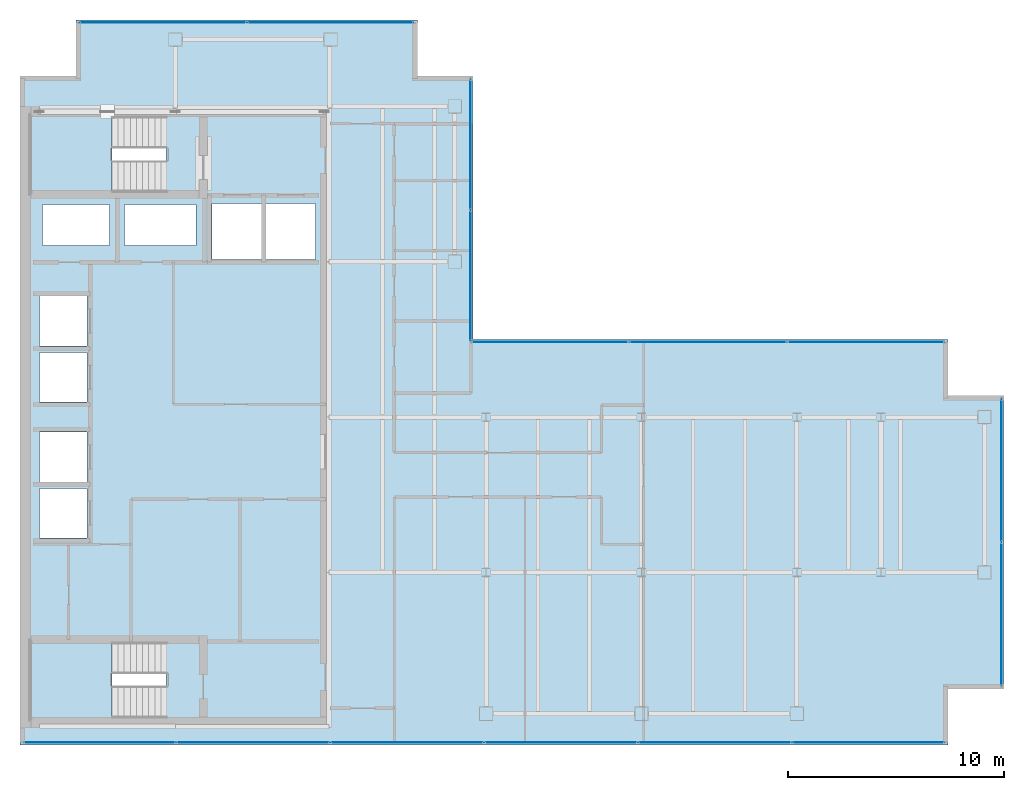
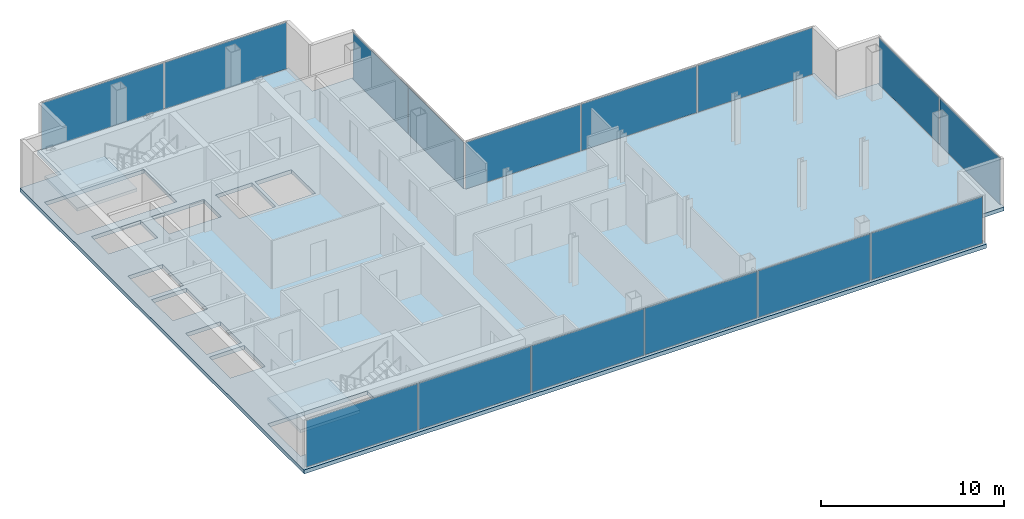
# One storey, part 19 of 23: 15 plates, 3 slabs, 10 openings, 7 elements without a shape of their own.
"""IFC4 building model written with IfcOpenShell, lengths in metres."""

from ifc_helpers import new_model, si_unit, direction, frame, origin, origin_2d, place, context, subcontext, project, spatial, polyline, rectangle, outline, extrude, material, layer, layer_set, type_object, element, aggregate, save


model = new_model("IFC4")

# Units and contexts
model_context = context("Model", 3, precision=1e-05, world=origin(), true_north=direction((0.0, 1.0)))
body_context = subcontext(model_context, "Body", "Model", "MODEL_VIEW")
ifc_project = project(units=[si_unit("LENGTHUNIT", "METRE"), si_unit("AREAUNIT", "SQUARE_METRE"), si_unit("VOLUMEUNIT", "CUBIC_METRE"), si_unit("PLANEANGLEUNIT", "RADIAN"), si_unit("MASSUNIT", "GRAM", prefix="KILO")], contexts=[model_context])

# Site, building, storey
site_placement = place(None, origin())
site = spatial("IfcSite", under=ifc_project, at=site_placement, CompositionType="ELEMENT")
building_placement = place(site_placement, origin())
building = spatial("IfcBuilding", under=site, at=building_placement, Name="Cobrela Telecom Tower", CompositionType="ELEMENT")
storey_placement = place(building_placement, frame((0.0, 0.0, 265.64990234375)))
storey = spatial("IfcBuildingStorey", under=building, at=storey_placement, Name="L69", CompositionType="ELEMENT", Elevation=265.64990234375)

# Curtain wall, plates
ifc_material_1 = material(Name="Anodized Bronze Aluminium 6063-T6", Category="aluminium")
curtain_wall_type = type_object("IfcCurtainWallType", Name="CW-SYS-OFF-HI", PredefinedType="USERDEFINED", material=ifc_material_1)
curtain_wall_1_placement = place(storey_placement, origin())
curtain_wall_1 = element("IfcCurtainWall", 1, at=curtain_wall_1_placement, inside=storey, type_object=curtain_wall_type, Name="L69 Unitised Bronze Curtain Wall 05", ObjectType="UNITISED CURTAIN WALL", PredefinedType="USERDEFINED")
ifc_material_2 = material(Name="Solar-Control Bronze Low-E Glass", Category="glass")
ifc_layer_1 = layer(ifc_material_2, 0.030029296875)
ifc_layer_set_1 = layer_set([ifc_layer_1], Name="Solar-Control Bronze Low-E Glass")
plate_type = type_object("IfcPlateType", Name="CW-SYS-OFF-HI-PNL", PredefinedType="CURTAIN_PANEL", material=ifc_layer_set_1)
plate_1_placement = place(storey_placement, frame((6.62255859375, 39.8798828125, 0.06494140625), z_axis=(0.0, 0.0, 1.0), x_axis=(1.0, 0.0, 0.0)))
plate_1 = element("IfcPlate", 2, at=plate_1_placement, type_object=plate_type, Name="CW-OFF-HI panel 1.1", PredefinedType="CURTAIN_PANEL", context=body_context, shape_type="SweptSolid", body=[
    extrude(rectangle(XDim=7.68505859375, YDim=0.030029296875, at=origin_2d()), origin(), (0.0, 0.0, 1.0), 3.110107421875),
])
plate_2_placement = place(storey_placement, frame((14.37744140625, 39.8798828125, 0.06494140625), z_axis=(0.0, 0.0, 1.0), x_axis=(1.0, 0.0, 0.0)))
plate_2 = element("IfcPlate", 3, at=plate_2_placement, type_object=plate_type, Name="CW-OFF-HI panel 2.1", PredefinedType="CURTAIN_PANEL", context=body_context, shape_type="SweptSolid", body=[
    extrude(rectangle(XDim=7.68505859375, YDim=0.030029296875, at=origin_2d()), origin(), (0.0, 0.0, 1.0), 3.110107421875),
])
aggregate(curtain_wall_1, [plate_1, plate_2])

curtain_wall_2_placement = place(storey_placement, origin())
curtain_wall_2 = element("IfcCurtainWall", 4, at=curtain_wall_2_placement, inside=storey, type_object=curtain_wall_type, Name="L69 Unitised Bronze Curtain Wall 08", ObjectType="UNITISED CURTAIN WALL", PredefinedType="USERDEFINED")
plate_3_placement = place(storey_placement, frame((20.8798828125, 34.219970703125, 0.06494140625), z_axis=(0.0, 0.0, 1.0), x_axis=(0.0, -1.0, 0.0)))
plate_3 = element("IfcPlate", 5, at=plate_3_placement, type_object=plate_type, Name="CW-OFF-HI panel 1.1", PredefinedType="CURTAIN_PANEL", context=body_context, shape_type="SweptSolid", body=[
    extrude(rectangle(XDim=6.0, YDim=0.030029296875, at=origin_2d()), origin(), (0.0, 0.0, 1.0), 3.110107421875),
])
plate_4_placement = place(storey_placement, frame((20.8798828125, 28.14990234375, 0.06494140625), z_axis=(0.0, 0.0, 1.0), x_axis=(0.0, -1.0, 0.0)))
plate_4 = element("IfcPlate", 6, at=plate_4_placement, type_object=plate_type, Name="CW-OFF-HI panel 2.1", PredefinedType="CURTAIN_PANEL", context=body_context, shape_type="SweptSolid", body=[
    extrude(rectangle(XDim=6.0, YDim=0.030029296875, at=origin_2d()), origin(), (0.0, 0.0, 1.0), 3.110107421875),
])
aggregate(curtain_wall_2, [plate_3, plate_4])

curtain_wall_3_placement = place(storey_placement, origin())
curtain_wall_3 = element("IfcCurtainWall", 7, at=curtain_wall_3_placement, inside=storey, type_object=curtain_wall_type, Name="L69 Unitised Bronze Curtain Wall 09", ObjectType="UNITISED CURTAIN WALL", PredefinedType="USERDEFINED")
plate_5_placement = place(storey_placement, frame((24.56591796875, 25.080078125, 0.06494140625), z_axis=(0.0, 0.0, 1.0), x_axis=(1.0, 0.0, 0.0)))
plate_5 = element("IfcPlate", 8, at=plate_5_placement, type_object=plate_type, Name="CW-OFF-HI panel 1.1", PredefinedType="CURTAIN_PANEL", context=body_context, shape_type="SweptSolid", body=[
    extrude(rectangle(XDim=7.231689453125, YDim=0.030029296875, at=origin_2d()), origin(), (0.0, 0.0, 1.0), 3.110107421875),
])
plate_6_placement = place(storey_placement, frame((31.885009765625, 25.080078125, 0.06494140625), z_axis=(0.0, 0.0, 1.0), x_axis=(1.0, 0.0, 0.0)))
plate_6 = element("IfcPlate", 9, at=plate_6_placement, type_object=plate_type, Name="CW-OFF-HI panel 2.1", PredefinedType="CURTAIN_PANEL", context=body_context, shape_type="SweptSolid", body=[
    extrude(rectangle(XDim=7.2666015625, YDim=0.030029296875, at=origin_2d()), origin(), (0.0, 0.0, 1.0), 3.110107421875),
])
plate_7_placement = place(storey_placement, frame((39.2041015625, 25.080078125, 0.06494140625), z_axis=(0.0, 0.0, 1.0), x_axis=(1.0, 0.0, 0.0)))
plate_7 = element("IfcPlate", 10, at=plate_7_placement, type_object=plate_type, Name="CW-OFF-HI panel 3.1", PredefinedType="CURTAIN_PANEL", context=body_context, shape_type="SweptSolid", body=[
    extrude(rectangle(XDim=7.231689453125, YDim=0.030029296875, at=origin_2d()), origin(), (0.0, 0.0, 1.0), 3.110107421875),
])
aggregate(curtain_wall_3, [plate_5, plate_6, plate_7])

curtain_wall_4_placement = place(storey_placement, origin())
curtain_wall_4 = element("IfcCurtainWall", 11, at=curtain_wall_4_placement, inside=storey, type_object=curtain_wall_type, Name="L69 Unitised Bronze Curtain Wall 12", ObjectType="UNITISED CURTAIN WALL", PredefinedType="USERDEFINED")
plate_8_placement = place(storey_placement, frame((45.47998046875, 19.12744140625, 0.06494140625), z_axis=(0.0, 0.0, 1.0), x_axis=(0.0, -1.0, 0.0)))
plate_8 = element("IfcPlate", 12, at=plate_8_placement, type_object=plate_type, Name="CW-OFF-HI panel 1.1", PredefinedType="CURTAIN_PANEL", context=body_context, shape_type="SweptSolid", body=[
    extrude(rectangle(XDim=6.5849609375, YDim=0.030029296875, at=origin_2d()), origin(), (0.0, 0.0, 1.0), 3.110107421875),
])
plate_9_placement = place(storey_placement, frame((45.47998046875, 12.472412109375, 0.06494140625), z_axis=(0.0, 0.0, 1.0), x_axis=(0.0, -1.0, 0.0)))
plate_9 = element("IfcPlate", 13, at=plate_9_placement, type_object=plate_type, Name="CW-OFF-HI panel 2.1", PredefinedType="CURTAIN_PANEL", context=body_context, shape_type="SweptSolid", body=[
    extrude(rectangle(XDim=6.5849609375, YDim=0.030029296875, at=origin_2d()), origin(), (0.0, 0.0, 1.0), 3.110107421875),
])
aggregate(curtain_wall_4, [plate_8, plate_9])

curtain_wall_5_placement = place(storey_placement, origin())
curtain_wall_5 = element("IfcCurtainWall", 14, at=curtain_wall_5_placement, inside=storey, type_object=curtain_wall_type, Name="L69 Unitised Bronze Curtain Wall 15", ObjectType="UNITISED CURTAIN WALL", PredefinedType="USERDEFINED")
plate_10_placement = place(storey_placement, frame((39.308349609375, 6.52001953125, 0.06494140625), z_axis=(0.0, 0.0, 1.0), x_axis=(-1.0, 0.0, 0.0)))
plate_10 = element("IfcPlate", 15, at=plate_10_placement, type_object=plate_type, Name="CW-OFF-HI panel 1.1", PredefinedType="CURTAIN_PANEL", context=body_context, shape_type="SweptSolid", body=[
    extrude(rectangle(XDim=7.0234375, YDim=0.030029296875, at=origin_2d()), origin(), (0.0, 0.0, 1.0), 3.110107421875),
])
plate_11_placement = place(storey_placement, frame((32.197509765625, 6.52001953125, 0.06494140625), z_axis=(0.0, 0.0, 1.0), x_axis=(-1.0, 0.0, 0.0)))
plate_11 = element("IfcPlate", 16, at=plate_11_placement, type_object=plate_type, Name="CW-OFF-HI panel 2.1", PredefinedType="CURTAIN_PANEL", context=body_context, shape_type="SweptSolid", body=[
    extrude(rectangle(XDim=7.058349609375, YDim=0.030029296875, at=origin_2d()), origin(), (0.0, 0.0, 1.0), 3.110107421875),
])
plate_12_placement = place(storey_placement, frame((25.069091796875, 6.52001953125, 0.06494140625), z_axis=(0.0, 0.0, 1.0), x_axis=(-1.0, 0.0, 0.0)))
plate_12 = element("IfcPlate", 17, at=plate_12_placement, type_object=plate_type, Name="CW-OFF-HI panel 3.1", PredefinedType="CURTAIN_PANEL", context=body_context, shape_type="SweptSolid", body=[
    extrude(rectangle(XDim=7.058349609375, YDim=0.030029296875, at=origin_2d()), origin(), (0.0, 0.0, 1.0), 3.110107421875),
])
plate_13_placement = place(storey_placement, frame((17.94091796875, 6.52001953125, 0.06494140625), z_axis=(0.0, 0.0, 1.0), x_axis=(-1.0, 0.0, 0.0)))
plate_13 = element("IfcPlate", 18, at=plate_13_placement, type_object=plate_type, Name="CW-OFF-HI panel 4.1", PredefinedType="CURTAIN_PANEL", context=body_context, shape_type="SweptSolid", body=[
    extrude(rectangle(XDim=7.058349609375, YDim=0.030029296875, at=origin_2d()), origin(), (0.0, 0.0, 1.0), 3.110107421875),
])
plate_14_placement = place(storey_placement, frame((10.8125, 6.52001953125, 0.06494140625), z_axis=(0.0, 0.0, 1.0), x_axis=(-1.0, 0.0, 0.0)))
plate_14 = element("IfcPlate", 19, at=plate_14_placement, type_object=plate_type, Name="CW-OFF-HI panel 5.1", PredefinedType="CURTAIN_PANEL", context=body_context, shape_type="SweptSolid", body=[
    extrude(rectangle(XDim=7.058349609375, YDim=0.030029296875, at=origin_2d()), origin(), (0.0, 0.0, 1.0), 3.110107421875),
])
plate_15_placement = place(storey_placement, frame((3.70166015625, 6.52001953125, 0.06494140625), z_axis=(0.0, 0.0, 1.0), x_axis=(-1.0, 0.0, 0.0)))
plate_15 = element("IfcPlate", 20, at=plate_15_placement, type_object=plate_type, Name="CW-OFF-HI panel 6.1", PredefinedType="CURTAIN_PANEL", context=body_context, shape_type="SweptSolid", body=[
    extrude(rectangle(XDim=7.0234375, YDim=0.030029296875, at=origin_2d()), origin(), (0.0, 0.0, 1.0), 3.110107421875),
])
aggregate(curtain_wall_5, [plate_10, plate_11, plate_12, plate_13, plate_14, plate_15])

# Slab, openings
ifc_material_3 = material(Name="Concrete C40/50", Category="concrete")
ifc_layer_2 = layer(ifc_material_3, 0.260009765625)
ifc_layer_set_2 = layer_set([ifc_layer_2], Name="Concrete C40/50")
slab_type_1 = type_object("IfcSlabType", Name="SLAB-FLR-260", PredefinedType="FLOOR", material=ifc_layer_set_2)
slab_1_placement = place(storey_placement, frame((0.0, 0.0, -0.260009765625)))
slab_1 = element("IfcSlab", 21, at=slab_1_placement, inside=storey, type_object=slab_type_1, Name="L69 Structural Floor Slab", PredefinedType="FLOOR", context=body_context, shape_type="SweptSolid", body=[
    extrude(outline(polyline([(0.0, 6.39990234375), (43.010009765625, 6.39990234375), (43.010009765625, 8.989990234375), (45.60009765625, 8.989990234375), (45.60009765625, 22.610107421875), (43.010009765625, 22.610107421875), (43.010009765625, 25.199951171875), (21.0, 25.199951171875), (21.0, 37.409912109375), (18.409912109375, 37.409912109375), (18.409912109375, 40.0), (2.590087890625, 40.0), (2.590087890625, 37.409912109375), (0.0, 37.409912109375), (0.0, 6.39990234375)])), origin(), (0.0, 0.0, 1.0), 0.260009765625),
])
opening_1_placement = place(slab_1_placement, frame((0.0, 0.0, -0.02001953125)))
element("IfcOpeningElement", 22, at=opening_1_placement, cuts=slab_1, Name="Slab Shaft Opening SLAB-L69-MAIN.1", PredefinedType="OPENING", context=body_context, shape_type="SweptSolid", body=[
    extrude(outline(polyline([(8.89990234375, 28.89990234375), (11.199951171875, 28.89990234375), (11.199951171875, 31.5), (8.89990234375, 31.5), (8.89990234375, 28.89990234375)])), origin(), (0.0, 0.0, 1.0), 0.300048828125),
])
opening_2_placement = place(slab_1_placement, frame((0.0, 0.0, -0.02001953125)))
element("IfcOpeningElement", 23, at=opening_2_placement, cuts=slab_1, Name="Slab Shaft Opening SLAB-L69-MAIN.2", PredefinedType="OPENING", context=body_context, shape_type="SweptSolid", body=[
    extrude(outline(polyline([(11.39990234375, 28.89990234375), (13.699951171875, 28.89990234375), (13.699951171875, 31.5), (11.39990234375, 31.5), (11.39990234375, 28.89990234375)])), origin(), (0.0, 0.0, 1.0), 0.300048828125),
])
opening_3_placement = place(slab_1_placement, frame((0.0, 0.0, -0.02001953125)))
element("IfcOpeningElement", 24, at=opening_3_placement, cuts=slab_1, Name="Slab Shaft Opening SLAB-L69-MAIN.3", PredefinedType="OPENING", context=body_context, shape_type="SweptSolid", body=[
    extrude(outline(polyline([(0.89990234375, 16.0), (3.10009765625, 16.0), (3.10009765625, 18.300048828125), (0.89990234375, 18.300048828125), (0.89990234375, 16.0)])), origin(), (0.0, 0.0, 1.0), 0.300048828125),
])
opening_4_placement = place(slab_1_placement, frame((0.0, 0.0, -0.02001953125)))
element("IfcOpeningElement", 25, at=opening_4_placement, cuts=slab_1, Name="Slab Shaft Opening SLAB-L69-MAIN.4", PredefinedType="OPENING", context=body_context, shape_type="SweptSolid", body=[
    extrude(outline(polyline([(0.89990234375, 18.60009765625), (3.10009765625, 18.60009765625), (3.10009765625, 20.89990234375), (0.89990234375, 20.89990234375), (0.89990234375, 18.60009765625)])), origin(), (0.0, 0.0, 1.0), 0.300048828125),
])
opening_5_placement = place(slab_1_placement, frame((0.0, 0.0, -0.02001953125)))
element("IfcOpeningElement", 26, at=opening_5_placement, cuts=slab_1, Name="Slab Shaft Opening SLAB-L69-MAIN.5", PredefinedType="OPENING", context=body_context, shape_type="SweptSolid", body=[
    extrude(outline(polyline([(0.89990234375, 22.300048828125), (3.10009765625, 22.300048828125), (3.10009765625, 24.60009765625), (0.89990234375, 24.60009765625), (0.89990234375, 22.300048828125)])), origin(), (0.0, 0.0, 1.0), 0.300048828125),
])
opening_6_placement = place(slab_1_placement, frame((0.0, 0.0, -0.02001953125)))
element("IfcOpeningElement", 27, at=opening_6_placement, cuts=slab_1, Name="Slab Shaft Opening SLAB-L69-MAIN.6", PredefinedType="OPENING", context=body_context, shape_type="SweptSolid", body=[
    extrude(outline(polyline([(0.89990234375, 24.89990234375), (3.10009765625, 24.89990234375), (3.10009765625, 27.199951171875), (0.89990234375, 27.199951171875), (0.89990234375, 24.89990234375)])), origin(), (0.0, 0.0, 1.0), 0.300048828125),
])
opening_7_placement = place(slab_1_placement, frame((0.0, 0.0, -0.02001953125)))
element("IfcOpeningElement", 28, at=opening_7_placement, cuts=slab_1, Name="Slab Shaft Opening SLAB-L69-MAIN.7", PredefinedType="OPENING", context=body_context, shape_type="SweptSolid", body=[
    extrude(outline(polyline([(1.050048828125, 29.550048828125), (4.14990234375, 29.550048828125), (4.14990234375, 31.449951171875), (1.050048828125, 31.449951171875), (1.050048828125, 29.550048828125)])), origin(), (0.0, 0.0, 1.0), 0.300048828125),
])
opening_8_placement = place(slab_1_placement, frame((0.0, 0.0, -0.02001953125)))
element("IfcOpeningElement", 29, at=opening_8_placement, cuts=slab_1, Name="Slab Shaft Opening SLAB-L69-MAIN.8", PredefinedType="OPENING", context=body_context, shape_type="SweptSolid", body=[
    extrude(outline(polyline([(4.85009765625, 29.550048828125), (8.14990234375, 29.550048828125), (8.14990234375, 31.449951171875), (4.85009765625, 31.449951171875), (4.85009765625, 29.550048828125)])), origin(), (0.0, 0.0, 1.0), 0.300048828125),
])
opening_9_placement = place(slab_1_placement, frame((0.0, 0.0, -0.02001953125)))
element("IfcOpeningElement", 30, at=opening_9_placement, cuts=slab_1, Name="Slab Shaft Opening SLAB-L69-MAIN.9", PredefinedType="OPENING", context=body_context, shape_type="SweptSolid", body=[
    extrude(outline(polyline([(6.7548828125, 35.550048828125), (0.47998046875, 35.550048828125), (0.47998046875, 32.0), (6.7548828125, 32.0), (6.7548828125, 35.550048828125)])), origin(), (0.0, 0.0, 1.0), 0.300048828125),
])
opening_10_placement = place(slab_1_placement, frame((0.0, 0.0, -0.02001953125)))
element("IfcOpeningElement", 31, at=opening_10_placement, cuts=slab_1, Name="Slab Shaft Opening SLAB-L69-MAIN.10", PredefinedType="OPENING", context=body_context, shape_type="SweptSolid", body=[
    extrude(outline(polyline([(6.7548828125, 11.199951171875), (0.47998046875, 11.199951171875), (0.47998046875, 7.64990234375), (6.7548828125, 7.64990234375), (6.7548828125, 11.199951171875)])), origin(), (0.0, 0.0, 1.0), 0.300048828125),
])

# Stair, slab
stair_type = type_object("IfcStairType", Name="STAIR-CORE", PredefinedType="HALF_TURN_STAIR", material=ifc_material_3)
stair_1_placement = place(storey_placement, origin())
stair_1 = element("IfcStair", 32, at=stair_1_placement, inside=storey, type_object=stair_type, Name="L69 Smokeproof Exit Stair ST1", PredefinedType="HALF_TURN_STAIR")
ifc_layer_3 = layer(ifc_material_3, 0.199951171875)
ifc_layer_set_3 = layer_set([ifc_layer_3], Name="Concrete C40/50")
slab_type_2 = type_object("IfcSlabType", Name="SLAB-LAND-200", PredefinedType="LANDING", material=ifc_layer_set_3)
slab_2_placement = place(storey_placement, frame((0.0, 0.0, 1.550048828125)))
slab_2 = element("IfcSlab", 33, at=slab_2_placement, type_object=slab_type_2, Name="ST1 landing 1", PredefinedType="LANDING", context=body_context, shape_type="SweptSolid", body=[
    extrude(outline(polyline([(4.2548828125, 35.550048828125), (0.47998046875, 35.550048828125), (0.47998046875, 32.0), (4.2548828125, 32.0), (4.2548828125, 35.550048828125)])), origin(), (0.0, 0.0, 1.0), 0.199951171875),
])
aggregate(stair_1, [slab_2])

stair_2_placement = place(storey_placement, origin())
stair_2 = element("IfcStair", 34, at=stair_2_placement, inside=storey, type_object=stair_type, Name="L69 Smokeproof Exit Stair ST2", PredefinedType="HALF_TURN_STAIR")
slab_3_placement = place(storey_placement, frame((0.0, 0.0, 1.550048828125)))
slab_3 = element("IfcSlab", 35, at=slab_3_placement, type_object=slab_type_2, Name="ST2 landing 1", PredefinedType="LANDING", context=body_context, shape_type="SweptSolid", body=[
    extrude(outline(polyline([(4.2548828125, 11.199951171875), (0.47998046875, 11.199951171875), (0.47998046875, 7.64990234375), (4.2548828125, 7.64990234375), (4.2548828125, 11.199951171875)])), origin(), (0.0, 0.0, 1.0), 0.199951171875),
])
aggregate(stair_2, [slab_3])

save(model, "model.ifc")
